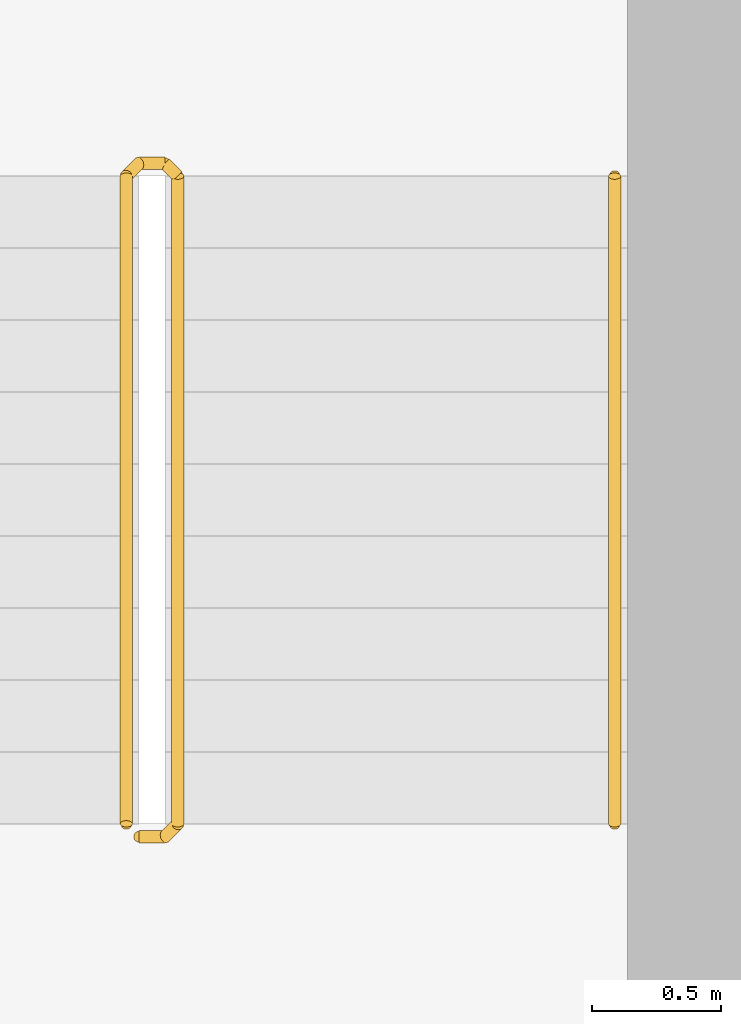
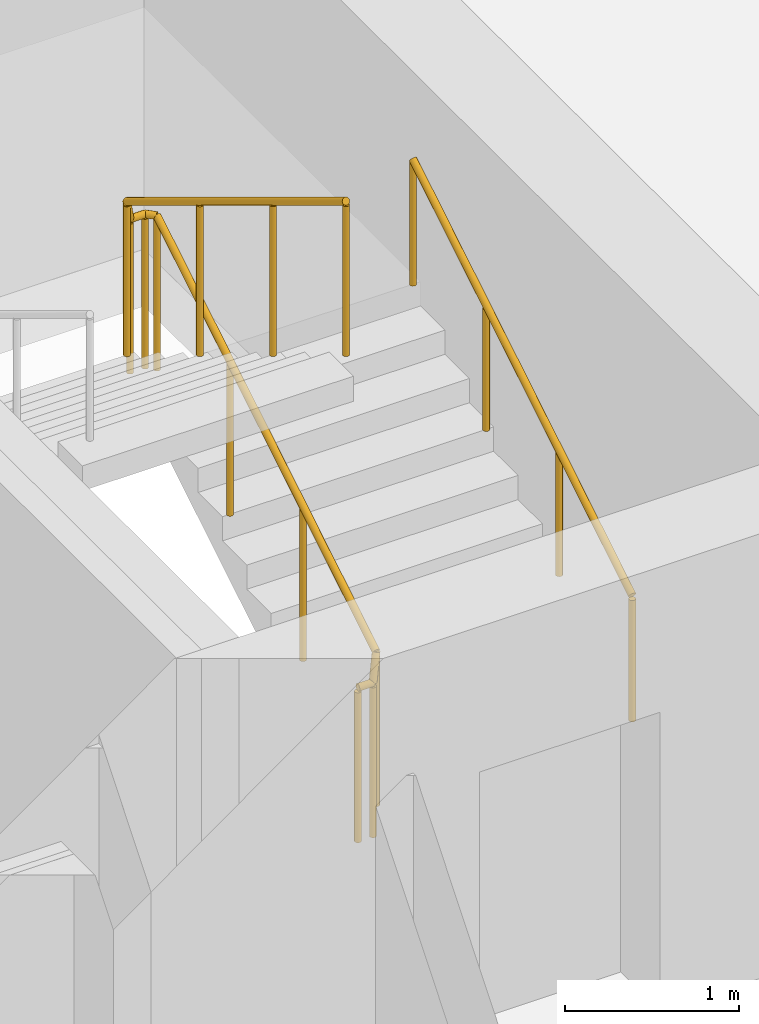
# One storey, part 12 of 12: 2 railings.
"""IFC4 building model written with IfcOpenShell, lengths in metres."""

from ifc_helpers import new_model, si_unit, direction, frame, origin, origin_2d, place, context, subcontext, project, spatial, circle, extrude, material, type_object, element, save


model = new_model("IFC4")

# Units and contexts
model_context = context("Model", 3, precision=1e-05, world=origin(), true_north=direction((0.0, 1.0)))
body_context = subcontext(model_context, "Body", "Model", "MODEL_VIEW")
ifc_project = project(units=[si_unit("LENGTHUNIT", "METRE"), si_unit("AREAUNIT", "SQUARE_METRE"), si_unit("VOLUMEUNIT", "CUBIC_METRE"), si_unit("PLANEANGLEUNIT", "RADIAN"), si_unit("MASSUNIT", "GRAM", prefix="KILO")], contexts=[model_context])

# Site, building, storey
site_placement = place(None, origin())
site = spatial("IfcSite", under=ifc_project, at=site_placement, CompositionType="ELEMENT")
building_placement = place(site_placement, origin())
building = spatial("IfcBuilding", under=site, at=building_placement, Name="Kilnfold Tower and Market Hall", CompositionType="ELEMENT")
storey_placement = place(building_placement, frame((0.0, 0.0, 295.0)))
storey = spatial("IfcBuildingStorey", under=building, at=storey_placement, Name="L73", CompositionType="ELEMENT", Elevation=295.0)

# Railings
ifc_material_1 = material(Name="Stainless steel 316", Category="steel")
railing_type_1 = type_object("IfcRailingType", Name="CORE STAIR GUARD 1100", PredefinedType="GUARDRAIL", material=ifc_material_1)
railing_1_placement = place(storey_placement, frame((15.199951171875, 10.75, 0.0)))
element("IfcRailing", 1, at=railing_1_placement, inside=storey, type_object=railing_type_1, Name="L73 ST2 stair guard 1", PredefinedType="GUARDRAIL", context=body_context, shape_type="SweptSolid", body=[
    extrude(circle(Radius=0.02392578125, at=origin_2d()), frame((0.0, 0.0, 1.076171875), z_axis=(1.0, 0.0, 0.0), x_axis=(0.0, 1.0, 0.0)), (0.0, 0.0, 1.0), 0.10009765625),
    extrude(circle(Radius=0.02392578125, at=origin_2d()), frame((0.10009765625, 0.0, 1.076171875), z_axis=(0.271895245746, 0.271895245746, 0.923117517265), x_axis=(-0.707106781187, 0.707106781187, 0.0)), (0.0, 0.0, 1.0), 0.18408203125),
    extrude(circle(Radius=0.02392578125, at=origin_2d()), frame((0.150146484375, 0.050048828125, 1.24609375), z_axis=(0.0, 0.85478489116, 0.518982456201), x_axis=(-1.0, 0.0, 0.0)), (0.0, 0.0, 1.0), 2.9482421875),
    extrude(circle(Radius=0.02392578125, at=origin_2d()), frame((0.150146484375, 2.570068359375, 2.77587890625), z_axis=(-0.707106781187, 0.707106781187, 0.0), x_axis=(-0.707106781187, -0.707106781187, 0.0)), (0.0, 0.0, 1.0), 0.07080078125),
    extrude(circle(Radius=0.02392578125, at=origin_2d()), frame((0.10009765625, 2.6201171875, 2.77587890625), z_axis=(-1.0, 0.0, 0.0), x_axis=(0.0, -1.0, 0.0)), (0.0, 0.0, 1.0), 0.10009765625),
    extrude(circle(Radius=0.02392578125, at=origin_2d()), frame((0.0, 2.6201171875, 2.77587890625), z_axis=(-0.271562723297, -0.271562723297, 0.923313259209), x_axis=(0.707106781187, -0.707106781187, 0.0)), (0.0, 0.0, 1.0), 0.184326171875),
    extrude(circle(Radius=0.02392578125, at=origin_2d()), frame((-0.050048828125, 2.570068359375, 2.9462890625), z_axis=(0.0, -0.854821627497, 0.518921945155), x_axis=(1.0, 0.0, 0.0)), (0.0, 0.0, 1.0), 2.947998046875),
    extrude(circle(Radius=0.02099609375, at=origin_2d()), origin(), (0.0, 0.0, 1.0), 1.052001953125),
    extrude(circle(Radius=0.02099609375, at=origin_2d()), frame((0.10009765625, 0.0, 0.0)), (0.0, 0.0, 1.0), 1.052001953125),
    extrude(circle(Radius=0.02099609375, at=origin_2d()), frame((0.150146484375, 0.050048828125, 0.169921875)), (0.0, 0.0, 1.0), 1.052001953125),
    extrude(circle(Radius=0.02099609375, at=origin_2d()), frame((0.150146484375, 0.89013671875, 0.679931640625)), (0.0, 0.0, 1.0), 1.052001953125),
    extrude(circle(Radius=0.02099609375, at=origin_2d()), frame((0.150146484375, 1.72998046875, 1.18994140625)), (0.0, 0.0, 1.0), 1.052001953125),
    extrude(circle(Radius=0.02099609375, at=origin_2d()), frame((0.150146484375, 2.570068359375, 1.699951171875)), (0.0, 0.0, 1.0), 1.052001953125),
    extrude(circle(Radius=0.02099609375, at=origin_2d()), frame((0.10009765625, 2.6201171875, 1.699951171875)), (0.0, 0.0, 1.0), 1.052001953125),
    extrude(circle(Radius=0.02099609375, at=origin_2d()), frame((0.0, 2.6201171875, 1.699951171875)), (0.0, 0.0, 1.0), 1.052001953125),
    extrude(circle(Radius=0.02099609375, at=origin_2d()), frame((-0.050048828125, 2.570068359375, 1.8701171875)), (0.0, 0.0, 1.0), 1.052001953125),
    extrude(circle(Radius=0.02099609375, at=origin_2d()), frame((-0.050048828125, 1.72998046875, 2.380126953125)), (0.0, 0.0, 1.0), 1.052001953125),
    extrude(circle(Radius=0.02099609375, at=origin_2d()), frame((-0.050048828125, 0.89013671875, 2.889892578125)), (0.0, 0.0, 1.0), 1.052001953125),
    extrude(circle(Radius=0.02099609375, at=origin_2d()), frame((-0.050048828125, 0.050048828125, 3.39990234375)), (0.0, 0.0, 1.0), 1.052001953125),
])
ifc_material_2 = material(Name="Stainless steel 316", Category="steel")
railing_type_2 = type_object("IfcRailingType", Name="CORE STAIR HANDRAIL 900", PredefinedType="HANDRAIL", material=ifc_material_2)
railing_2_placement = place(storey_placement, frame((17.050048828125, 10.800048828125, 0.169921875)))
element("IfcRailing", 2, at=railing_2_placement, inside=storey, type_object=railing_type_2, Name="L73 ST2 stair handrail 1", PredefinedType="HANDRAIL", context=body_context, shape_type="SweptSolid", body=[
    extrude(circle(Radius=0.02392578125, at=origin_2d()), frame((0.0, 0.0, 0.8759765625), z_axis=(0.0, 0.85478489116, 0.518982456201), x_axis=(-1.0, 0.0, 0.0)), (0.0, 0.0, 1.0), 2.9482421875),
    extrude(circle(Radius=0.02099609375, at=origin_2d()), origin(), (0.0, 0.0, 1.0), 0.851806640625),
    extrude(circle(Radius=0.02099609375, at=origin_2d()), frame((0.0, 0.840087890625, 0.510009765625)), (0.0, 0.0, 1.0), 0.851806640625),
    extrude(circle(Radius=0.02099609375, at=origin_2d()), frame((0.0, 1.679931640625, 1.02001953125)), (0.0, 0.0, 1.0), 0.851806640625),
    extrude(circle(Radius=0.02099609375, at=origin_2d()), frame((0.0, 2.52001953125, 1.530029296875)), (0.0, 0.0, 1.0), 0.851806640625),
])

save(model, "model.ifc")
